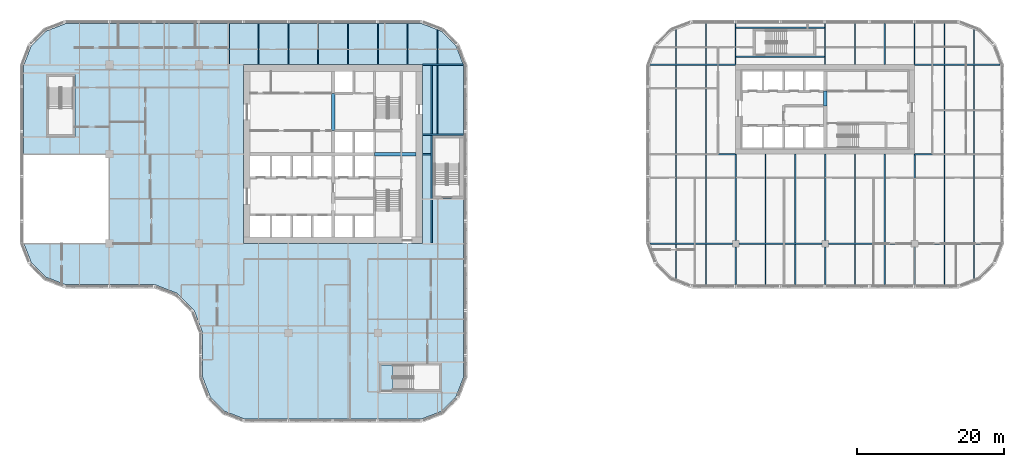
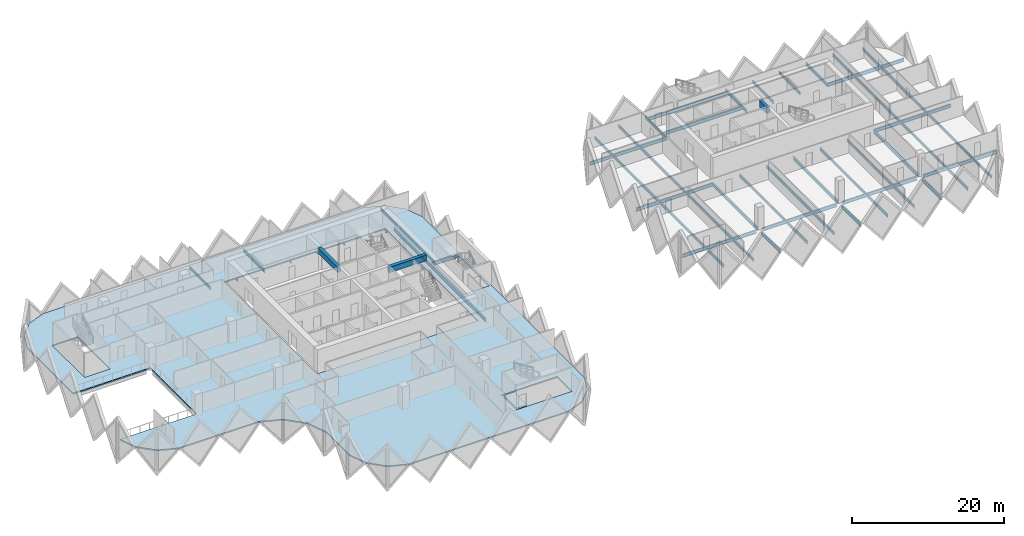
# One storey, part 2 of 18: 61 beams, 2 slabs.
"""IFC4 building model written with IfcOpenShell, lengths in metres."""

from ifc_helpers import new_model, si_unit, direction, frame, origin, origin_2d, place, context, subcontext, project, spatial, polyline, rectangle, i_section, outline, extrude, material, layer, layer_set, material_profile, profile_set, type_object, element, save


model = new_model("IFC4")

# Units and contexts
model_context = context("Model", 3, precision=1e-05, world=origin(), true_north=direction((0.0, 1.0)))
body_context = subcontext(model_context, "Body", "Model", "MODEL_VIEW")
ifc_project = project(units=[si_unit("LENGTHUNIT", "METRE"), si_unit("AREAUNIT", "SQUARE_METRE"), si_unit("VOLUMEUNIT", "CUBIC_METRE"), si_unit("PLANEANGLEUNIT", "RADIAN"), si_unit("MASSUNIT", "GRAM", prefix="KILO")], contexts=[model_context])

# Site, building, storey
site_placement = place(None, origin())
site = spatial("IfcSite", under=ifc_project, at=site_placement, CompositionType="ELEMENT")
building_placement = place(site_placement, origin())
building = spatial("IfcBuilding", under=site, at=building_placement, Name="Tessera Gate Towers", CompositionType="ELEMENT")
storey_placement = place(building_placement, frame((0.0, 0.0, 44.800048828125)))
storey = spatial("IfcBuildingStorey", under=building, at=storey_placement, Name="L10", CompositionType="ELEMENT", Elevation=44.800048828125)

# Beams
ifc_material_1 = material(Name="Concrete C60/75", Category="concrete")
ifc_material_profile_1 = material_profile(ifc_material_1, rectangle(XDim=0.5, YDim=0.89990234375, at=origin_2d()), Name="RC 500x900")
ifc_profile_set_1 = profile_set([ifc_material_profile_1], Name="Concrete C60/75")
beam_type_1 = type_object("IfcBeamType", Name="COUPLING BEAM 500x900 C60/75", PredefinedType="BEAM", material=ifc_profile_set_1)
beam_1_placement = place(storey_placement, frame((109.800048828125, 43.199951171875, 3.14990234375), z_axis=(0.0, 1.0, 0.0), x_axis=(-1.0, 0.0, 0.0)))
element("IfcBeam", 1, at=beam_1_placement, inside=storey, type_object=beam_type_1, Name="L10 coupling beam 1", PredefinedType="BEAM", context=body_context, shape_type="SweptSolid", body=[
    extrude(rectangle(XDim=0.5, YDim=0.89990234375, at=origin_2d()), origin(), (0.0, 0.0, 1.0), 2.0),
])
ifc_material_2 = material(Name="Concrete C70/85", Category="concrete")
ifc_material_profile_2 = material_profile(ifc_material_2, rectangle(XDim=0.5, YDim=0.89990234375, at=origin_2d()), Name="RC 500x900")
ifc_profile_set_2 = profile_set([ifc_material_profile_2], Name="Concrete C70/85")
beam_type_2 = type_object("IfcBeamType", Name="COUPLING BEAM 500x900 C70/85", PredefinedType="BEAM", material=ifc_profile_set_2)
beam_2_placement = place(storey_placement, frame((48.35009765625, 36.60009765625, 3.14990234375), z_axis=(1.0, 0.0, 0.0), x_axis=(0.0, 1.0, 0.0)))
element("IfcBeam", 2, at=beam_2_placement, inside=storey, type_object=beam_type_2, Name="L10 coupling beam 1", PredefinedType="BEAM", context=body_context, shape_type="SweptSolid", body=[
    extrude(rectangle(XDim=0.5, YDim=0.89990234375, at=origin_2d()), origin(), (0.0, 0.0, 1.0), 5.64990234375),
])
beam_3_placement = place(storey_placement, frame((42.699951171875, 39.800048828125, 3.14990234375), z_axis=(0.0, 1.0, 0.0), x_axis=(-1.0, 0.0, 0.0)))
element("IfcBeam", 3, at=beam_3_placement, inside=storey, type_object=beam_type_2, Name="L10 coupling beam 2", PredefinedType="BEAM", context=body_context, shape_type="SweptSolid", body=[
    extrude(rectangle(XDim=0.5, YDim=0.89990234375, at=origin_2d()), origin(), (0.0, 0.0, 1.0), 5.099853515625),
])
ifc_material_3 = material(Name="Steel 350W", Category="steel")
ifc_material_profile_3 = material_profile(ifc_material_3, i_section(OverallWidth=0.208984375, OverallDepth=0.532958984375, WebThickness=0.01025390625, FlangeThickness=0.015625, at=origin_2d()), Name="W530x92")
ifc_profile_set_3 = profile_set([ifc_material_profile_3], Name="Steel 350W")
beam_type_3 = type_object("IfcBeamType", Name="FLOOR GIRDER W530x92", PredefinedType="BEAM", material=ifc_profile_set_3)
beam_4_placement = place(storey_placement, frame((54.89892578125, 36.60009765625, -0.466552734375), z_axis=(1.0, 0.0, 0.0), x_axis=(0.0, 1.0, 0.0)))
element("IfcBeam", 4, at=beam_4_placement, inside=storey, type_object=beam_type_3, Name="T1-GD-L10-1524", PredefinedType="BEAM", context=body_context, shape_type="SweptSolid", body=[
    extrude(i_section(OverallWidth=0.208984375, OverallDepth=0.532958984375, WebThickness=0.01025390625, FlangeThickness=0.015625, at=origin_2d()), origin(), (0.0, 0.0, 1.0), 1.176513671875),
])
beam_5_placement = place(storey_placement, frame((54.90087890625, 48.800048828125, -0.466552734375), z_axis=(1.0, 0.0, 0.0), x_axis=(0.0, 1.0, 0.0)))
element("IfcBeam", 5, at=beam_5_placement, inside=storey, type_object=beam_type_3, Name="T1-GD-L10-1528", PredefinedType="BEAM", context=body_context, shape_type="SweptSolid", body=[
    extrude(i_section(OverallWidth=0.208984375, OverallDepth=0.532958984375, WebThickness=0.01025390625, FlangeThickness=0.015625, at=origin_2d()), origin(), (0.0, 0.0, 1.0), 5.564208984375),
])
beam_6_placement = place(storey_placement, frame((54.89892578125, 39.219970703125, -0.466552734375), z_axis=(1.0, 0.0, 0.0), x_axis=(0.0, 1.0, 0.0)))
element("IfcBeam", 6, at=beam_6_placement, inside=storey, type_object=beam_type_3, Name="T1-GD-L10-1546", PredefinedType="BEAM", context=body_context, shape_type="SweptSolid", body=[
    extrude(i_section(OverallWidth=0.208984375, OverallDepth=0.532958984375, WebThickness=0.01025390625, FlangeThickness=0.015625, at=origin_2d()), origin(), (0.0, 0.0, 1.0), 5.60205078125),
])
beam_7_placement = place(storey_placement, frame((56.179931640625, 24.50439453125, -0.466552734375), z_axis=(0.0, 1.0, 0.0), x_axis=(-1.0, 0.0, 0.0)))
element("IfcBeam", 7, at=beam_7_placement, inside=storey, type_object=beam_type_3, Name="T1-GD-L10-1547", PredefinedType="BEAM", context=body_context, shape_type="SweptSolid", body=[
    extrude(i_section(OverallWidth=0.208984375, OverallDepth=0.532958984375, WebThickness=0.01025390625, FlangeThickness=0.015625, at=origin_2d()), origin(), (0.0, 0.0, 1.0), 24.191162109375),
])
beam_8_placement = place(storey_placement, frame((85.934814453125, 24.39990234375, -0.466552734375), z_axis=(1.0, 0.0, 0.0), x_axis=(0.0, 1.0, 0.0)))
element("IfcBeam", 8, at=beam_8_placement, inside=storey, type_object=beam_type_3, Name="T2-GD-L10-1588", PredefinedType="BEAM", context=body_context, shape_type="SweptSolid", body=[
    extrude(i_section(OverallWidth=0.208984375, OverallDepth=0.532958984375, WebThickness=0.01025390625, FlangeThickness=0.015625, at=origin_2d()), origin(), (0.0, 0.0, 1.0), 11.215087890625),
])
for number, where, z_axis, x_axis, name in (
    (9, (98.050048828125, 24.39990234375, -0.466552734375), (1.0, 0.0, 0.0), (0.0, 1.0, 0.0), "T2-GD-L10-1589"),
    (10, (110.25, 24.39990234375, -0.466552734375), (1.0, 0.0, 0.0), (0.0, 1.0, 0.0), "T2-GD-L10-1590"),
):
    element("IfcBeam", number, at=place(storey_placement, frame(where, z_axis=z_axis, x_axis=x_axis)), inside=storey, type_object=beam_type_3, Name=name, PredefinedType="BEAM", context=body_context, shape_type="SweptSolid", body=[
        extrude(i_section(OverallWidth=0.208984375, OverallDepth=0.532958984375, WebThickness=0.01025390625, FlangeThickness=0.015625, at=origin_2d()), origin(), (0.0, 0.0, 1.0), 11.300048828125),
    ])
beam_9_placement = place(storey_placement, frame((122.449951171875, 24.39990234375, -0.466552734375), z_axis=(1.0, 0.0, 0.0), x_axis=(0.0, 1.0, 0.0)))
element("IfcBeam", 11, at=beam_9_placement, inside=storey, type_object=beam_type_3, Name="T2-GD-L10-1591", PredefinedType="BEAM", context=body_context, shape_type="SweptSolid", body=[
    extrude(i_section(OverallWidth=0.208984375, OverallDepth=0.532958984375, WebThickness=0.01025390625, FlangeThickness=0.015625, at=origin_2d()), origin(), (0.0, 0.0, 1.0), 11.21533203125),
])
beam_10_placement = place(storey_placement, frame((85.89892578125, 36.60009765625, -0.466552734375), z_axis=(1.0, 0.0, 0.0), x_axis=(0.0, 1.0, 0.0)))
element("IfcBeam", 12, at=beam_10_placement, inside=storey, type_object=beam_type_3, Name="T2-GD-L10-1592", PredefinedType="BEAM", context=body_context, shape_type="SweptSolid", body=[
    extrude(i_section(OverallWidth=0.208984375, OverallDepth=0.532958984375, WebThickness=0.01025390625, FlangeThickness=0.015625, at=origin_2d()), origin(), (0.0, 0.0, 1.0), 11.7001953125),
])
beam_11_placement = place(storey_placement, frame((122.0009765625, 36.60009765625, -0.466552734375), z_axis=(1.0, 0.0, 0.0), x_axis=(0.0, 1.0, 0.0)))
element("IfcBeam", 13, at=beam_11_placement, inside=storey, type_object=beam_type_3, Name="T2-GD-L10-1593", PredefinedType="BEAM", context=body_context, shape_type="SweptSolid", body=[
    extrude(i_section(OverallWidth=0.208984375, OverallDepth=0.532958984375, WebThickness=0.01025390625, FlangeThickness=0.015625, at=origin_2d()), origin(), (0.0, 0.0, 1.0), 11.699951171875),
])
for number, where, z_axis, x_axis, name in (
    (14, (85.934814453125, 48.800048828125, -0.466552734375), (1.0, 0.0, 0.0), (0.0, 1.0, 0.0), "T2-GD-L10-1594"),
    (15, (122.0009765625, 48.800048828125, -0.466552734375), (1.0, 0.0, 0.0), (0.0, 1.0, 0.0), "T2-GD-L10-1595"),
):
    element("IfcBeam", number, at=place(storey_placement, frame(where, z_axis=z_axis, x_axis=x_axis)), inside=storey, type_object=beam_type_3, Name=name, PredefinedType="BEAM", context=body_context, shape_type="SweptSolid", body=[
        extrude(i_section(OverallWidth=0.208984375, OverallDepth=0.532958984375, WebThickness=0.01025390625, FlangeThickness=0.015625, at=origin_2d()), origin(), (0.0, 0.0, 1.0), 11.664306640625),
    ])
beam_12_placement = place(storey_placement, frame((97.60009765625, 18.799072265625, -0.466552734375), z_axis=(0.0, 1.0, 0.0), x_axis=(-1.0, 0.0, 0.0)))
element("IfcBeam", 16, at=beam_12_placement, inside=storey, type_object=beam_type_3, Name="T2-GD-L10-1596", PredefinedType="BEAM", context=body_context, shape_type="SweptSolid", body=[
    extrude(i_section(OverallWidth=0.208984375, OverallDepth=0.532958984375, WebThickness=0.01025390625, FlangeThickness=0.015625, at=origin_2d()), origin(), (0.0, 0.0, 1.0), 5.15087890625),
])
beam_13_placement = place(storey_placement, frame((97.60009765625, 24.85009765625, -0.466552734375), z_axis=(0.0, 1.0, 0.0), x_axis=(-1.0, 0.0, 0.0)))
element("IfcBeam", 17, at=beam_13_placement, inside=storey, type_object=beam_type_3, Name="T2-GD-L10-1597", PredefinedType="BEAM", context=body_context, shape_type="SweptSolid", body=[
    extrude(i_section(OverallWidth=0.208984375, OverallDepth=0.532958984375, WebThickness=0.01025390625, FlangeThickness=0.015625, at=origin_2d()), origin(), (0.0, 0.0, 1.0), 11.75),
])
beam_14_placement = place(storey_placement, frame((109.800048828125, 18.799072265625, -0.466552734375), z_axis=(0.0, 1.0, 0.0), x_axis=(-1.0, 0.0, 0.0)))
element("IfcBeam", 18, at=beam_14_placement, inside=storey, type_object=beam_type_3, Name="T2-GD-L10-1598", PredefinedType="BEAM", context=body_context, shape_type="SweptSolid", body=[
    extrude(i_section(OverallWidth=0.208984375, OverallDepth=0.532958984375, WebThickness=0.01025390625, FlangeThickness=0.015625, at=origin_2d()), origin(), (0.0, 0.0, 1.0), 5.15087890625),
])
beam_15_placement = place(storey_placement, frame((109.800048828125, 24.85009765625, -0.466552734375), z_axis=(0.0, 1.0, 0.0), x_axis=(-1.0, 0.0, 0.0)))
element("IfcBeam", 19, at=beam_15_placement, inside=storey, type_object=beam_type_3, Name="T2-GD-L10-1599", PredefinedType="BEAM", context=body_context, shape_type="SweptSolid", body=[
    extrude(i_section(OverallWidth=0.208984375, OverallDepth=0.532958984375, WebThickness=0.01025390625, FlangeThickness=0.015625, at=origin_2d()), origin(), (0.0, 0.0, 1.0), 11.75),
])
beam_16_placement = place(storey_placement, frame((122.0, 18.799072265625, -0.466552734375), z_axis=(0.0, 1.0, 0.0), x_axis=(-1.0, 0.0, 0.0)))
element("IfcBeam", 20, at=beam_16_placement, inside=storey, type_object=beam_type_3, Name="T2-GD-L10-1600", PredefinedType="BEAM", context=body_context, shape_type="SweptSolid", body=[
    extrude(i_section(OverallWidth=0.208984375, OverallDepth=0.532958984375, WebThickness=0.01025390625, FlangeThickness=0.015625, at=origin_2d()), origin(), (0.0, 0.0, 1.0), 5.15087890625),
])
beam_17_placement = place(storey_placement, frame((122.0, 24.85009765625, -0.466552734375), z_axis=(0.0, 1.0, 0.0), x_axis=(-1.0, 0.0, 0.0)))
element("IfcBeam", 21, at=beam_17_placement, inside=storey, type_object=beam_type_3, Name="T2-GD-L10-1601", PredefinedType="BEAM", context=body_context, shape_type="SweptSolid", body=[
    extrude(i_section(OverallWidth=0.208984375, OverallDepth=0.532958984375, WebThickness=0.01025390625, FlangeThickness=0.015625, at=origin_2d()), origin(), (0.0, 0.0, 1.0), 11.75),
])
for number, where, z_axis, x_axis, name in (
    (22, (97.676513671875, 49.8798828125, -0.466552734375), (1.0, 0.0, 0.0), (0.0, 1.0, 0.0), "T2-GD-L10-1602"),
    (23, (97.676513671875, 53.820068359375, -0.466552734375), (1.0, 0.0, 0.0), (0.0, 1.0, 0.0), "T2-GD-L10-1603"),
):
    element("IfcBeam", number, at=place(storey_placement, frame(where, z_axis=z_axis, x_axis=x_axis)), inside=storey, type_object=beam_type_3, Name=name, PredefinedType="BEAM", context=body_context, shape_type="SweptSolid", body=[
        extrude(i_section(OverallWidth=0.208984375, OverallDepth=0.532958984375, WebThickness=0.01025390625, FlangeThickness=0.015625, at=origin_2d()), origin(), (0.0, 0.0, 1.0), 12.046875),
    ])
ifc_material_4 = material(Name="Steel 350W", Category="steel")
ifc_material_profile_4 = material_profile(ifc_material_4, i_section(OverallWidth=0.153076171875, OverallDepth=0.455078125, WebThickness=0.008056640625, FlangeThickness=0.01318359375, at=origin_2d()), Name="W460x60")
ifc_profile_set_4 = profile_set([ifc_material_profile_4], Name="Steel 350W")
beam_type_4 = type_object("IfcBeamType", Name="FLOOR SECONDARY W460x60", PredefinedType="BEAM", material=ifc_profile_set_4)
beam_18_placement = place(storey_placement, frame((28.466796875, 48.904541015625, -0.427490234375), z_axis=(0.0, 1.0, 0.0), x_axis=(-1.0, 0.0, 0.0)))
element("IfcBeam", 24, at=beam_18_placement, inside=storey, type_object=beam_type_4, Name="T1-BM-L10-1566", PredefinedType="BEAM", context=body_context, shape_type="SweptSolid", body=[
    extrude(i_section(OverallWidth=0.153076171875, OverallDepth=0.455078125, WebThickness=0.008056640625, FlangeThickness=0.01318359375, at=origin_2d()), origin(), (0.0, 0.0, 1.0), 5.495361328125),
])
for number, where, z_axis, x_axis, name in (
    (25, (32.533203125, 48.800048828125, -0.427490234375), (0.0, 1.0, 0.0), (-1.0, 0.0, 0.0), "T1-BM-L10-1569"),
    (26, (36.60009765625, 48.800048828125, -0.427490234375), (0.0, 1.0, 0.0), (-1.0, 0.0, 0.0), "T1-BM-L10-1570"),
    (27, (40.666748046875, 48.800048828125, -0.427490234375), (0.0, 1.0, 0.0), (-1.0, 0.0, 0.0), "T1-BM-L10-1573"),
    (28, (44.7333984375, 48.800048828125, -0.427490234375), (0.0, 1.0, 0.0), (-1.0, 0.0, 0.0), "T1-BM-L10-1576"),
    (29, (48.800048828125, 48.800048828125, -0.427490234375), (0.0, 1.0, 0.0), (-1.0, 0.0, 0.0), "T1-BM-L10-1577"),
    (30, (52.86669921875, 48.800048828125, -0.427490234375), (0.0, 1.0, 0.0), (-1.0, 0.0, 0.0), "T1-BM-L10-1581"),
):
    element("IfcBeam", number, at=place(storey_placement, frame(where, z_axis=z_axis, x_axis=x_axis)), inside=storey, type_object=beam_type_4, Name=name, PredefinedType="BEAM", context=body_context, shape_type="SweptSolid", body=[
        extrude(i_section(OverallWidth=0.153076171875, OverallDepth=0.455078125, WebThickness=0.008056640625, FlangeThickness=0.01318359375, at=origin_2d()), origin(), (0.0, 0.0, 1.0), 5.599853515625),
    ])
beam_19_placement = place(storey_placement, frame((56.933349609375, 39.324462890625, -0.427490234375), z_axis=(0.0, 1.0, 0.0), x_axis=(-1.0, 0.0, 0.0)))
element("IfcBeam", 31, at=beam_19_placement, inside=storey, type_object=beam_type_4, Name="T1-BM-L10-1586", PredefinedType="BEAM", context=body_context, shape_type="SweptSolid", body=[
    extrude(i_section(OverallWidth=0.153076171875, OverallDepth=0.455078125, WebThickness=0.008056640625, FlangeThickness=0.01318359375, at=origin_2d()), origin(), (0.0, 0.0, 1.0), 9.37109375),
])
for number, where, z_axis, x_axis, name in (
    (32, (56.933349609375, 48.904541015625, -0.427490234375), (0.0, 1.0, 0.0), (-1.0, 0.0, 0.0), "T1-BM-L10-1587"),
    (33, (89.466796875, 19.620361328125, -0.427490234375), (0.0, 1.0, 0.0), (-1.0, 0.0, 0.0), "T2-BM-L10-1604"),
):
    element("IfcBeam", number, at=place(storey_placement, frame(where, z_axis=z_axis, x_axis=x_axis)), inside=storey, type_object=beam_type_4, Name=name, PredefinedType="BEAM", context=body_context, shape_type="SweptSolid", body=[
        extrude(i_section(OverallWidth=0.153076171875, OverallDepth=0.455078125, WebThickness=0.008056640625, FlangeThickness=0.01318359375, at=origin_2d()), origin(), (0.0, 0.0, 1.0), 4.675048828125),
    ])
beam_20_placement = place(storey_placement, frame((89.466796875, 24.50439453125, -0.427490234375), z_axis=(0.0, 1.0, 0.0), x_axis=(-1.0, 0.0, 0.0)))
element("IfcBeam", 34, at=beam_20_placement, inside=storey, type_object=beam_type_4, Name="T2-BM-L10-1605", PredefinedType="BEAM", context=body_context, shape_type="SweptSolid", body=[
    extrude(i_section(OverallWidth=0.153076171875, OverallDepth=0.455078125, WebThickness=0.008056640625, FlangeThickness=0.01318359375, at=origin_2d()), origin(), (0.0, 0.0, 1.0), 11.9912109375),
])
beam_21_placement = place(storey_placement, frame((89.466796875, 36.70458984375, -0.427490234375), z_axis=(0.0, 1.0, 0.0), x_axis=(-1.0, 0.0, 0.0)))
element("IfcBeam", 35, at=beam_21_placement, inside=storey, type_object=beam_type_4, Name="T2-BM-L10-1606", PredefinedType="BEAM", context=body_context, shape_type="SweptSolid", body=[
    extrude(i_section(OverallWidth=0.153076171875, OverallDepth=0.455078125, WebThickness=0.008056640625, FlangeThickness=0.01318359375, at=origin_2d()), origin(), (0.0, 0.0, 1.0), 11.990966796875),
])
beam_22_placement = place(storey_placement, frame((89.466796875, 48.904541015625, -0.427490234375), z_axis=(0.0, 1.0, 0.0), x_axis=(-1.0, 0.0, 0.0)))
element("IfcBeam", 36, at=beam_22_placement, inside=storey, type_object=beam_type_4, Name="T2-BM-L10-1607", PredefinedType="BEAM", context=body_context, shape_type="SweptSolid", body=[
    extrude(i_section(OverallWidth=0.153076171875, OverallDepth=0.455078125, WebThickness=0.008056640625, FlangeThickness=0.01318359375, at=origin_2d()), origin(), (0.0, 0.0, 1.0), 4.675048828125),
])
beam_23_placement = place(storey_placement, frame((93.533203125, 18.800048828125, -0.427490234375), z_axis=(0.0, 1.0, 0.0), x_axis=(-1.0, 0.0, 0.0)))
element("IfcBeam", 37, at=beam_23_placement, inside=storey, type_object=beam_type_4, Name="T2-BM-L10-1608", PredefinedType="BEAM", context=body_context, shape_type="SweptSolid", body=[
    extrude(i_section(OverallWidth=0.153076171875, OverallDepth=0.455078125, WebThickness=0.008056640625, FlangeThickness=0.01318359375, at=origin_2d()), origin(), (0.0, 0.0, 1.0), 5.495361328125),
])
beam_24_placement = place(storey_placement, frame((93.533203125, 24.50439453125, -0.427490234375), z_axis=(0.0, 1.0, 0.0), x_axis=(-1.0, 0.0, 0.0)))
element("IfcBeam", 38, at=beam_24_placement, inside=storey, type_object=beam_type_4, Name="T2-BM-L10-1609", PredefinedType="BEAM", context=body_context, shape_type="SweptSolid", body=[
    extrude(i_section(OverallWidth=0.153076171875, OverallDepth=0.455078125, WebThickness=0.008056640625, FlangeThickness=0.01318359375, at=origin_2d()), origin(), (0.0, 0.0, 1.0), 11.9912109375),
])
beam_25_placement = place(storey_placement, frame((93.533203125, 36.70458984375, -0.427490234375), z_axis=(0.0, 1.0, 0.0), x_axis=(-1.0, 0.0, 0.0)))
element("IfcBeam", 39, at=beam_25_placement, inside=storey, type_object=beam_type_4, Name="T2-BM-L10-1610", PredefinedType="BEAM", context=body_context, shape_type="SweptSolid", body=[
    extrude(i_section(OverallWidth=0.153076171875, OverallDepth=0.455078125, WebThickness=0.008056640625, FlangeThickness=0.01318359375, at=origin_2d()), origin(), (0.0, 0.0, 1.0), 11.990966796875),
])
beam_26_placement = place(storey_placement, frame((93.533203125, 48.904541015625, -0.427490234375), z_axis=(0.0, 1.0, 0.0), x_axis=(-1.0, 0.0, 0.0)))
element("IfcBeam", 40, at=beam_26_placement, inside=storey, type_object=beam_type_4, Name="T2-BM-L10-1611", PredefinedType="BEAM", context=body_context, shape_type="SweptSolid", body=[
    extrude(i_section(OverallWidth=0.153076171875, OverallDepth=0.455078125, WebThickness=0.008056640625, FlangeThickness=0.01318359375, at=origin_2d()), origin(), (0.0, 0.0, 1.0), 5.495361328125),
])
beam_27_placement = place(storey_placement, frame((97.60009765625, 48.800048828125, -0.427490234375), z_axis=(0.0, 1.0, 0.0), x_axis=(-1.0, 0.0, 0.0)))
element("IfcBeam", 41, at=beam_27_placement, inside=storey, type_object=beam_type_4, Name="T2-BM-L10-1612", PredefinedType="BEAM", context=body_context, shape_type="SweptSolid", body=[
    extrude(i_section(OverallWidth=0.153076171875, OverallDepth=0.455078125, WebThickness=0.008056640625, FlangeThickness=0.01318359375, at=origin_2d()), origin(), (0.0, 0.0, 1.0), 5.599853515625),
])
beam_28_placement = place(storey_placement, frame((101.666748046875, 18.800048828125, -0.427490234375), z_axis=(0.0, 1.0, 0.0), x_axis=(-1.0, 0.0, 0.0)))
element("IfcBeam", 42, at=beam_28_placement, inside=storey, type_object=beam_type_4, Name="T2-BM-L10-1613", PredefinedType="BEAM", context=body_context, shape_type="SweptSolid", body=[
    extrude(i_section(OverallWidth=0.153076171875, OverallDepth=0.455078125, WebThickness=0.008056640625, FlangeThickness=0.01318359375, at=origin_2d()), origin(), (0.0, 0.0, 1.0), 5.495361328125),
])
beam_29_placement = place(storey_placement, frame((101.666748046875, 24.50439453125, -0.427490234375), z_axis=(0.0, 1.0, 0.0), x_axis=(-1.0, 0.0, 0.0)))
element("IfcBeam", 43, at=beam_29_placement, inside=storey, type_object=beam_type_4, Name="T2-BM-L10-1614", PredefinedType="BEAM", context=body_context, shape_type="SweptSolid", body=[
    extrude(i_section(OverallWidth=0.153076171875, OverallDepth=0.455078125, WebThickness=0.008056640625, FlangeThickness=0.01318359375, at=origin_2d()), origin(), (0.0, 0.0, 1.0), 12.095703125),
])
beam_30_placement = place(storey_placement, frame((105.7333984375, 18.800048828125, -0.427490234375), z_axis=(0.0, 1.0, 0.0), x_axis=(-1.0, 0.0, 0.0)))
element("IfcBeam", 44, at=beam_30_placement, inside=storey, type_object=beam_type_4, Name="T2-BM-L10-1615", PredefinedType="BEAM", context=body_context, shape_type="SweptSolid", body=[
    extrude(i_section(OverallWidth=0.153076171875, OverallDepth=0.455078125, WebThickness=0.008056640625, FlangeThickness=0.01318359375, at=origin_2d()), origin(), (0.0, 0.0, 1.0), 5.495361328125),
])
beam_31_placement = place(storey_placement, frame((105.7333984375, 24.50439453125, -0.427490234375), z_axis=(0.0, 1.0, 0.0), x_axis=(-1.0, 0.0, 0.0)))
element("IfcBeam", 45, at=beam_31_placement, inside=storey, type_object=beam_type_4, Name="T2-BM-L10-1616", PredefinedType="BEAM", context=body_context, shape_type="SweptSolid", body=[
    extrude(i_section(OverallWidth=0.153076171875, OverallDepth=0.455078125, WebThickness=0.008056640625, FlangeThickness=0.01318359375, at=origin_2d()), origin(), (0.0, 0.0, 1.0), 12.095703125),
])
beam_32_placement = place(storey_placement, frame((109.800048828125, 48.800048828125, -0.427490234375), z_axis=(0.0, 1.0, 0.0), x_axis=(-1.0, 0.0, 0.0)))
element("IfcBeam", 46, at=beam_32_placement, inside=storey, type_object=beam_type_4, Name="T2-BM-L10-1617", PredefinedType="BEAM", context=body_context, shape_type="SweptSolid", body=[
    extrude(i_section(OverallWidth=0.153076171875, OverallDepth=0.455078125, WebThickness=0.008056640625, FlangeThickness=0.01318359375, at=origin_2d()), origin(), (0.0, 0.0, 1.0), 5.599853515625),
])
beam_33_placement = place(storey_placement, frame((113.86669921875, 18.800048828125, -0.427490234375), z_axis=(0.0, 1.0, 0.0), x_axis=(-1.0, 0.0, 0.0)))
element("IfcBeam", 47, at=beam_33_placement, inside=storey, type_object=beam_type_4, Name="T2-BM-L10-1618", PredefinedType="BEAM", context=body_context, shape_type="SweptSolid", body=[
    extrude(i_section(OverallWidth=0.153076171875, OverallDepth=0.455078125, WebThickness=0.008056640625, FlangeThickness=0.01318359375, at=origin_2d()), origin(), (0.0, 0.0, 1.0), 5.495361328125),
])
beam_34_placement = place(storey_placement, frame((113.86669921875, 24.50439453125, -0.427490234375), z_axis=(0.0, 1.0, 0.0), x_axis=(-1.0, 0.0, 0.0)))
element("IfcBeam", 48, at=beam_34_placement, inside=storey, type_object=beam_type_4, Name="T2-BM-L10-1619", PredefinedType="BEAM", context=body_context, shape_type="SweptSolid", body=[
    extrude(i_section(OverallWidth=0.153076171875, OverallDepth=0.455078125, WebThickness=0.008056640625, FlangeThickness=0.01318359375, at=origin_2d()), origin(), (0.0, 0.0, 1.0), 12.095703125),
])
beam_35_placement = place(storey_placement, frame((113.86669921875, 48.800048828125, -0.427490234375), z_axis=(0.0, 1.0, 0.0), x_axis=(-1.0, 0.0, 0.0)))
element("IfcBeam", 49, at=beam_35_placement, inside=storey, type_object=beam_type_4, Name="T2-BM-L10-1620", PredefinedType="BEAM", context=body_context, shape_type="SweptSolid", body=[
    extrude(i_section(OverallWidth=0.153076171875, OverallDepth=0.455078125, WebThickness=0.008056640625, FlangeThickness=0.01318359375, at=origin_2d()), origin(), (0.0, 0.0, 1.0), 5.599853515625),
])
beam_36_placement = place(storey_placement, frame((117.933349609375, 18.800048828125, -0.427490234375), z_axis=(0.0, 1.0, 0.0), x_axis=(-1.0, 0.0, 0.0)))
element("IfcBeam", 50, at=beam_36_placement, inside=storey, type_object=beam_type_4, Name="T2-BM-L10-1621", PredefinedType="BEAM", context=body_context, shape_type="SweptSolid", body=[
    extrude(i_section(OverallWidth=0.153076171875, OverallDepth=0.455078125, WebThickness=0.008056640625, FlangeThickness=0.01318359375, at=origin_2d()), origin(), (0.0, 0.0, 1.0), 5.495361328125),
])
beam_37_placement = place(storey_placement, frame((117.933349609375, 24.50439453125, -0.427490234375), z_axis=(0.0, 1.0, 0.0), x_axis=(-1.0, 0.0, 0.0)))
element("IfcBeam", 51, at=beam_37_placement, inside=storey, type_object=beam_type_4, Name="T2-BM-L10-1622", PredefinedType="BEAM", context=body_context, shape_type="SweptSolid", body=[
    extrude(i_section(OverallWidth=0.153076171875, OverallDepth=0.455078125, WebThickness=0.008056640625, FlangeThickness=0.01318359375, at=origin_2d()), origin(), (0.0, 0.0, 1.0), 12.095703125),
])
for number, where, z_axis, x_axis, name in (
    (52, (117.933349609375, 48.800048828125, -0.427490234375), (0.0, 1.0, 0.0), (-1.0, 0.0, 0.0), "T2-BM-L10-1623"),
    (53, (122.0, 48.800048828125, -0.427490234375), (0.0, 1.0, 0.0), (-1.0, 0.0, 0.0), "T2-BM-L10-1624"),
):
    element("IfcBeam", number, at=place(storey_placement, frame(where, z_axis=z_axis, x_axis=x_axis)), inside=storey, type_object=beam_type_4, Name=name, PredefinedType="BEAM", context=body_context, shape_type="SweptSolid", body=[
        extrude(i_section(OverallWidth=0.153076171875, OverallDepth=0.455078125, WebThickness=0.008056640625, FlangeThickness=0.01318359375, at=origin_2d()), origin(), (0.0, 0.0, 1.0), 5.599853515625),
    ])
beam_38_placement = place(storey_placement, frame((126.066650390625, 18.800048828125, -0.427490234375), z_axis=(0.0, 1.0, 0.0), x_axis=(-1.0, 0.0, 0.0)))
element("IfcBeam", 54, at=beam_38_placement, inside=storey, type_object=beam_type_4, Name="T2-BM-L10-1625", PredefinedType="BEAM", context=body_context, shape_type="SweptSolid", body=[
    extrude(i_section(OverallWidth=0.153076171875, OverallDepth=0.455078125, WebThickness=0.008056640625, FlangeThickness=0.01318359375, at=origin_2d()), origin(), (0.0, 0.0, 1.0), 5.495361328125),
])
beam_39_placement = place(storey_placement, frame((126.066650390625, 24.50439453125, -0.427490234375), z_axis=(0.0, 1.0, 0.0), x_axis=(-1.0, 0.0, 0.0)))
element("IfcBeam", 55, at=beam_39_placement, inside=storey, type_object=beam_type_4, Name="T2-BM-L10-1626", PredefinedType="BEAM", context=body_context, shape_type="SweptSolid", body=[
    extrude(i_section(OverallWidth=0.153076171875, OverallDepth=0.455078125, WebThickness=0.008056640625, FlangeThickness=0.01318359375, at=origin_2d()), origin(), (0.0, 0.0, 1.0), 11.9912109375),
])
beam_40_placement = place(storey_placement, frame((126.066650390625, 36.70458984375, -0.427490234375), z_axis=(0.0, 1.0, 0.0), x_axis=(-1.0, 0.0, 0.0)))
element("IfcBeam", 56, at=beam_40_placement, inside=storey, type_object=beam_type_4, Name="T2-BM-L10-1627", PredefinedType="BEAM", context=body_context, shape_type="SweptSolid", body=[
    extrude(i_section(OverallWidth=0.153076171875, OverallDepth=0.455078125, WebThickness=0.008056640625, FlangeThickness=0.01318359375, at=origin_2d()), origin(), (0.0, 0.0, 1.0), 11.990966796875),
])
beam_41_placement = place(storey_placement, frame((126.066650390625, 48.904541015625, -0.427490234375), z_axis=(0.0, 1.0, 0.0), x_axis=(-1.0, 0.0, 0.0)))
element("IfcBeam", 57, at=beam_41_placement, inside=storey, type_object=beam_type_4, Name="T2-BM-L10-1628", PredefinedType="BEAM", context=body_context, shape_type="SweptSolid", body=[
    extrude(i_section(OverallWidth=0.153076171875, OverallDepth=0.455078125, WebThickness=0.008056640625, FlangeThickness=0.01318359375, at=origin_2d()), origin(), (0.0, 0.0, 1.0), 5.495361328125),
])
beam_42_placement = place(storey_placement, frame((130.13330078125, 19.620361328125, -0.427490234375), z_axis=(0.0, 1.0, 0.0), x_axis=(-1.0, 0.0, 0.0)))
element("IfcBeam", 58, at=beam_42_placement, inside=storey, type_object=beam_type_4, Name="T2-BM-L10-1629", PredefinedType="BEAM", context=body_context, shape_type="SweptSolid", body=[
    extrude(i_section(OverallWidth=0.153076171875, OverallDepth=0.455078125, WebThickness=0.008056640625, FlangeThickness=0.01318359375, at=origin_2d()), origin(), (0.0, 0.0, 1.0), 4.675048828125),
])
beam_43_placement = place(storey_placement, frame((130.13330078125, 24.50439453125, -0.427490234375), z_axis=(0.0, 1.0, 0.0), x_axis=(-1.0, 0.0, 0.0)))
element("IfcBeam", 59, at=beam_43_placement, inside=storey, type_object=beam_type_4, Name="T2-BM-L10-1630", PredefinedType="BEAM", context=body_context, shape_type="SweptSolid", body=[
    extrude(i_section(OverallWidth=0.153076171875, OverallDepth=0.455078125, WebThickness=0.008056640625, FlangeThickness=0.01318359375, at=origin_2d()), origin(), (0.0, 0.0, 1.0), 11.9912109375),
])
beam_44_placement = place(storey_placement, frame((130.13330078125, 36.70458984375, -0.427490234375), z_axis=(0.0, 1.0, 0.0), x_axis=(-1.0, 0.0, 0.0)))
element("IfcBeam", 60, at=beam_44_placement, inside=storey, type_object=beam_type_4, Name="T2-BM-L10-1631", PredefinedType="BEAM", context=body_context, shape_type="SweptSolid", body=[
    extrude(i_section(OverallWidth=0.153076171875, OverallDepth=0.455078125, WebThickness=0.008056640625, FlangeThickness=0.01318359375, at=origin_2d()), origin(), (0.0, 0.0, 1.0), 11.990966796875),
])
beam_45_placement = place(storey_placement, frame((130.13330078125, 48.904541015625, -0.427490234375), z_axis=(0.0, 1.0, 0.0), x_axis=(-1.0, 0.0, 0.0)))
element("IfcBeam", 61, at=beam_45_placement, inside=storey, type_object=beam_type_4, Name="T2-BM-L10-1632", PredefinedType="BEAM", context=body_context, shape_type="SweptSolid", body=[
    extrude(i_section(OverallWidth=0.153076171875, OverallDepth=0.455078125, WebThickness=0.008056640625, FlangeThickness=0.01318359375, at=origin_2d()), origin(), (0.0, 0.0, 1.0), 4.675048828125),
])

# Slabs
ifc_material_5 = material(Name="Concrete C35/45", Category="concrete")
ifc_layer_1 = layer(ifc_material_5, 0.199951171875)
ifc_layer_set_1 = layer_set([ifc_layer_1], Name="COMPOSITE FLOOR 200")
slab_type_1 = type_object("IfcSlabType", Name="COMPOSITE FLOOR 200", PredefinedType="FLOOR", material=ifc_layer_set_1)
slab_1_placement = place(storey_placement, frame((0.0, 0.0, -0.199951171875)))
element("IfcSlab", 62, at=slab_1_placement, inside=storey, type_object=slab_type_1, Name="T1-L10", PredefinedType="FLOOR", context=body_context, shape_type="SweptSolid", body=[
    extrude(outline(polyline([(0.5, 36.60009765625), (12.199951171875, 36.60009765625), (12.199951171875, 24.39990234375), (0.535888671875, 24.39990234375), (1.526123046875, 21.8330078125), (3.533203125, 19.826171875), (6.193115234375, 18.800048828125), (18.39306640625, 18.800048828125), (21.42431640625, 17.630615234375), (23.730712890625, 15.32421875), (24.89990234375, 12.293212890625), (24.89990234375, 6.193115234375), (25.926025390625, 3.533203125), (27.93310546875, 1.526123046875), (30.593017578125, 0.5), (54.806884765625, 0.5), (57.466796875, 1.526123046875), (59.473876953125, 3.533203125), (60.5, 6.193115234375), (60.5, 48.706787109375), (59.473876953125, 51.366943359375), (57.466796875, 53.373779296875), (54.806884765625, 54.39990234375), (6.193115234375, 54.39990234375), (3.533203125, 53.373779296875), (1.526123046875, 51.366943359375), (0.5, 48.706787109375), (0.5, 36.60009765625)]), holes=[polyline([(3.60009765625, 39.0), (3.60009765625, 47.5), (7.5, 47.5), (7.5, 39.0), (3.60009765625, 39.0)]), polyline([(30.5, 24.39990234375), (30.5, 48.800048828125), (54.89990234375, 48.800048828125), (54.89990234375, 24.39990234375), (30.5, 24.39990234375)]), polyline([(49.0, 4.199951171875), (49.0, 8.10009765625), (57.5, 8.10009765625), (57.5, 4.199951171875), (49.0, 4.199951171875)]), polyline([(56.300048828125, 30.60009765625), (56.300048828125, 39.10009765625), (60.199951171875, 39.10009765625), (60.199951171875, 30.60009765625), (56.300048828125, 30.60009765625)])]), origin(), (0.0, 0.0, 1.0), 0.199951171875),
])
ifc_material_6 = material(Name="Concrete C35/45", Category="concrete")
ifc_layer_2 = layer(ifc_material_6, 0.199951171875)
ifc_layer_set_2 = layer_set([ifc_layer_2], Name="CORE FLOOR SLAB 200")
slab_type_2 = type_object("IfcSlabType", Name="CORE FLOOR SLAB 200", PredefinedType="FLOOR", material=ifc_layer_set_2)
slab_2_placement = place(storey_placement, frame((0.0, 0.0, -0.199951171875)))
element("IfcSlab", 63, at=slab_2_placement, inside=storey, type_object=slab_type_2, Name="L10 ST4 floor landing", PredefinedType="FLOOR", context=body_context, shape_type="SweptSolid", body=[
    extrude(outline(polyline([(49.25, 4.449951171875), (50.85009765625, 4.449951171875), (50.85009765625, 7.85009765625), (49.25, 7.85009765625), (49.25, 4.449951171875)])), origin(), (0.0, 0.0, 1.0), 0.199951171875),
])

save(model, "model.ifc")
